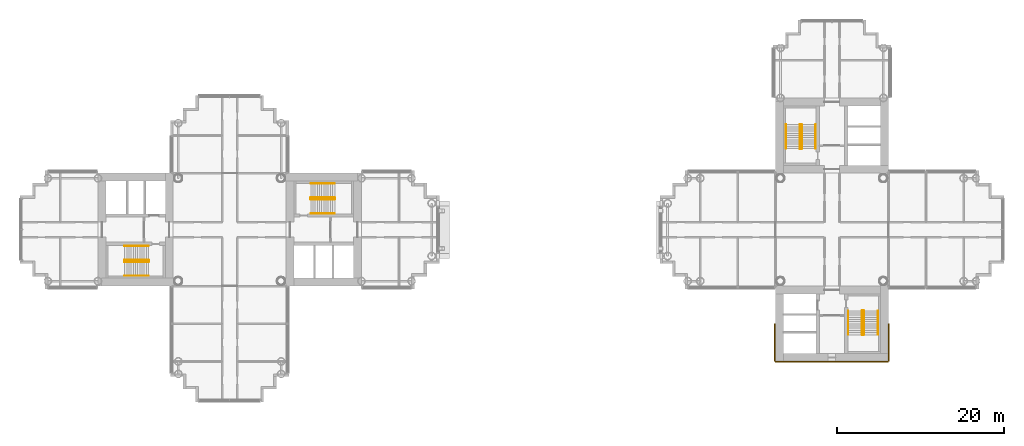
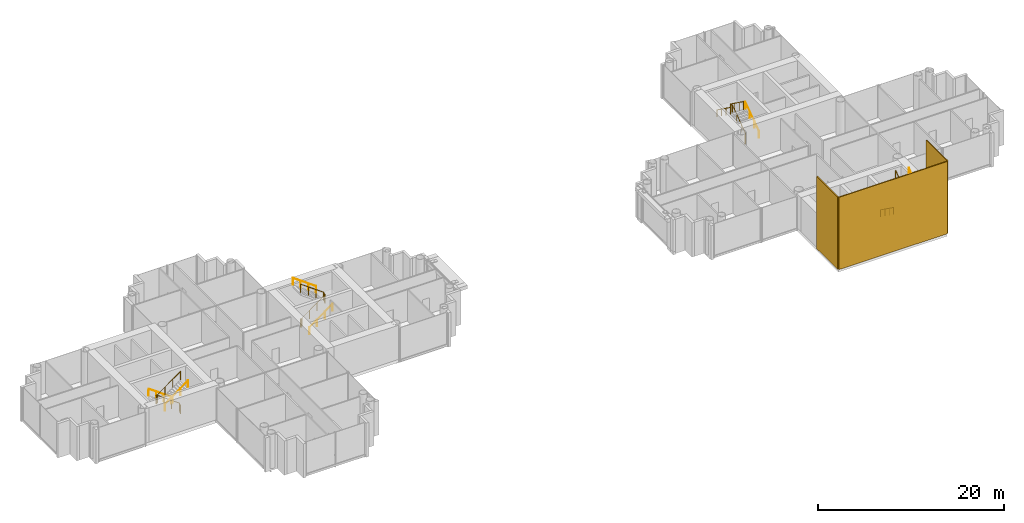
# One storey, part 20 of 20: 12 railings, 3 coverings.
"""IFC4 building model written with IfcOpenShell, lengths in metres."""

from ifc_helpers import new_model, si_unit, direction, frame, origin, origin_2d, place, context, subcontext, project, spatial, rectangle, circle, extrude, material, layer, layer_set, type_object, element, save


model = new_model("IFC4")

# Units and contexts
model_context = context("Model", 3, precision=1e-05, world=origin(), true_north=direction((0.0, 1.0)))
body_context = subcontext(model_context, "Body", "Model", "MODEL_VIEW")
ifc_project = project(units=[si_unit("LENGTHUNIT", "METRE"), si_unit("AREAUNIT", "SQUARE_METRE"), si_unit("VOLUMEUNIT", "CUBIC_METRE"), si_unit("PLANEANGLEUNIT", "RADIAN"), si_unit("MASSUNIT", "GRAM", prefix="KILO")], contexts=[model_context])

# Site, building, storey
site_placement = place(None, origin())
site = spatial("IfcSite", under=ifc_project, at=site_placement, CompositionType="ELEMENT")
building_placement = place(site_placement, origin())
building = spatial("IfcBuilding", under=site, at=building_placement, Name="Ipe Terrace Towers", CompositionType="ELEMENT")
storey_placement = place(building_placement, frame((0.0, 0.0, 124.199951171875)))
storey = spatial("IfcBuildingStorey", under=building, at=storey_placement, Name="L34", CompositionType="ELEMENT", Elevation=124.199951171875)

# Coverings
ifc_material_1 = material(Name="Concrete C50/60 precast, buff finish", Category="concrete")
ifc_layer = layer(ifc_material_1, 0.1201171875)
ifc_layer_set = layer_set([ifc_layer], Name="STONE CORE CLADDING 120")
covering_type = type_object("IfcCoveringType", Name="STONE CORE CLADDING 120", PredefinedType="CLADDING", material=ifc_layer_set)
covering_placement = place(storey_placement, frame((36.0, -15.81005859375, 0.0), z_axis=(0.0, 0.0, 1.0), x_axis=(1.0, 0.0, 0.0)))
element("IfcCovering", 1, at=covering_placement, inside=storey, type_object=covering_type, Name="stone core cladding", PredefinedType="CLADDING", context=body_context, shape_type="SweptSolid", body=[
    extrude(rectangle(XDim=13.5, YDim=0.1201171875, at=origin_2d()), origin(), (0.0, 0.0, 1.0), 9.5),
])
for number, where, z_axis, x_axis, name in (
    (2, (29.18994140625, -13.5, 0.0), (0.0, 0.0, 1.0), (0.0, -1.0, 0.0), "stone core cladding"),
    (3, (42.81005859375, -13.5, 0.0), (0.0, 0.0, 1.0), (0.0, 1.0, 0.0), "stone core cladding"),
):
    element("IfcCovering", number, at=place(storey_placement, frame(where, z_axis=z_axis, x_axis=x_axis)), inside=storey, type_object=covering_type, Name=name, PredefinedType="CLADDING", context=body_context, shape_type="SweptSolid", body=[
        extrude(rectangle(XDim=4.5, YDim=0.1201171875, at=origin_2d()), origin(), (0.0, 0.0, 1.0), 9.5),
    ])

# Railings
ifc_material_2 = material(Name="Steel S355", Category="steel")
railing_type_1 = type_object("IfcRailingType", Name="Stair guard 1100", PredefinedType="GUARDRAIL", material=ifc_material_2)
railing_1_placement = place(storey_placement, frame((-26.35009765625, 3.800048828125, 0.0)))
element("IfcRailing", 4, at=railing_1_placement, inside=storey, type_object=railing_type_1, Name="L34 T1-ST1 stair guard 1", PredefinedType="GUARDRAIL", context=body_context, shape_type="SweptSolid", body=[
    extrude(circle(Radius=0.02392578125, at=origin_2d()), frame((0.0, 0.0, 1.076171875), z_axis=(0.0, -1.0, 0.0), x_axis=(1.0, 0.0, 0.0)), (0.0, 0.0, 1.0), 0.150146484375),
    extrude(circle(Radius=0.02392578125, at=origin_2d()), frame((0.0, -0.150146484375, 1.076171875), z_axis=(0.249802250048, -0.248583702486, 0.935844527007), x_axis=(0.705375805398, 0.708833529934, 0.0)), (0.0, 0.0, 1.0), 0.200439453125),
    extrude(circle(Radius=0.02392578125, at=origin_2d()), frame((0.050048828125, -0.199951171875, 1.263671875), z_axis=(0.811100754333, 0.0, 0.584906459462), x_axis=(0.0, 1.0, 0.0)), (0.0, 0.0, 1.0), 3.526123046875),
    extrude(circle(Radius=0.02392578125, at=origin_2d()), frame((2.91015625, -0.199951171875, 3.326171875), z_axis=(0.708833529934, 0.705375805398, 0.0), x_axis=(-0.705375805398, 0.708833529934, 0.0)), (0.0, 0.0, 1.0), 0.070556640625),
    extrude(circle(Radius=0.02392578125, at=origin_2d()), frame((2.960205078125, -0.150146484375, 3.326171875), z_axis=(0.0, 1.0, 0.0), x_axis=(-1.0, 0.0, 0.0)), (0.0, 0.0, 1.0), 0.150146484375),
    extrude(circle(Radius=0.02392578125, at=origin_2d()), frame((2.960205078125, 0.0, 3.326171875), z_axis=(-0.249726431254, 0.249726431254, 0.935560483917), x_axis=(-0.707106781187, -0.707106781187, 0.0)), (0.0, 0.0, 1.0), 0.200439453125),
    extrude(circle(Radius=0.02392578125, at=origin_2d()), frame((2.91015625, 0.050048828125, 3.513671875), z_axis=(-0.811100754333, 0.0, 0.584906459462), x_axis=(0.0, -1.0, 0.0)), (0.0, 0.0, 1.0), 3.526123046875),
    extrude(circle(Radius=0.02099609375, at=origin_2d()), origin(), (0.0, 0.0, 1.0), 1.052001953125),
    extrude(circle(Radius=0.02099609375, at=origin_2d()), frame((0.0, -0.150146484375, 0.0)), (0.0, 0.0, 1.0), 1.052001953125),
    extrude(circle(Radius=0.02099609375, at=origin_2d()), frame((0.050048828125, -0.199951171875, 0.1875)), (0.0, 0.0, 1.0), 1.052001953125),
    extrude(circle(Radius=0.02099609375, at=origin_2d()), frame((1.00341796875, -0.199951171875, 0.875)), (0.0, 0.0, 1.0), 1.052001953125),
    extrude(circle(Radius=0.02099609375, at=origin_2d()), frame((1.956787109375, -0.199951171875, 1.5625)), (0.0, 0.0, 1.0), 1.052001953125),
    extrude(circle(Radius=0.02099609375, at=origin_2d()), frame((2.91015625, -0.199951171875, 2.25)), (0.0, 0.0, 1.0), 1.052001953125),
    extrude(circle(Radius=0.02099609375, at=origin_2d()), frame((2.960205078125, -0.150146484375, 2.25)), (0.0, 0.0, 1.0), 1.052001953125),
    extrude(circle(Radius=0.02099609375, at=origin_2d()), frame((2.960205078125, 0.0, 2.25)), (0.0, 0.0, 1.0), 1.052001953125),
    extrude(circle(Radius=0.02099609375, at=origin_2d()), frame((2.91015625, 0.050048828125, 2.4375)), (0.0, 0.0, 1.0), 1.052001953125),
    extrude(circle(Radius=0.02099609375, at=origin_2d()), frame((1.956787109375, 0.050048828125, 3.125)), (0.0, 0.0, 1.0), 1.052001953125),
    extrude(circle(Radius=0.02099609375, at=origin_2d()), frame((1.00341796875, 0.050048828125, 3.8125)), (0.0, 0.0, 1.0), 1.052001953125),
    extrude(circle(Radius=0.02099609375, at=origin_2d()), frame((0.050048828125, 0.050048828125, 4.5)), (0.0, 0.0, 1.0), 1.052001953125),
])
railing_2_placement = place(storey_placement, frame((-45.64990234375, -3.800048828125, 0.0)))
element("IfcRailing", 5, at=railing_2_placement, inside=storey, type_object=railing_type_1, Name="L34 T1-ST2 stair guard 1", PredefinedType="GUARDRAIL", context=body_context, shape_type="SweptSolid", body=[
    extrude(circle(Radius=0.02392578125, at=origin_2d()), frame((0.0, 0.0, 1.076171875), z_axis=(0.0, 1.0, 0.0), x_axis=(-1.0, 0.0, 0.0)), (0.0, 0.0, 1.0), 0.150146484375),
    extrude(circle(Radius=0.02392578125, at=origin_2d()), frame((0.0, 0.150146484375, 1.076171875), z_axis=(-0.249802250048, 0.248583702486, 0.935844527007), x_axis=(-0.705375805398, -0.708833529934, 0.0)), (0.0, 0.0, 1.0), 0.200439453125),
    extrude(circle(Radius=0.02392578125, at=origin_2d()), frame((-0.050048828125, 0.199951171875, 1.263671875), z_axis=(-0.811100754333, 0.0, 0.584906459462), x_axis=(0.0, -1.0, 0.0)), (0.0, 0.0, 1.0), 3.526123046875),
    extrude(circle(Radius=0.02392578125, at=origin_2d()), frame((-2.91015625, 0.199951171875, 3.326171875), z_axis=(-0.708833529934, -0.705375805398, 0.0), x_axis=(0.705375805398, -0.708833529934, 0.0)), (0.0, 0.0, 1.0), 0.070556640625),
    extrude(circle(Radius=0.02392578125, at=origin_2d()), frame((-2.960205078125, 0.150146484375, 3.326171875), z_axis=(0.0, -1.0, 0.0), x_axis=(1.0, 0.0, 0.0)), (0.0, 0.0, 1.0), 0.150146484375),
    extrude(circle(Radius=0.02392578125, at=origin_2d()), frame((-2.960205078125, 0.0, 3.326171875), z_axis=(0.249726431254, -0.249726431254, 0.935560483917), x_axis=(0.707106781187, 0.707106781187, 0.0)), (0.0, 0.0, 1.0), 0.200439453125),
    extrude(circle(Radius=0.02392578125, at=origin_2d()), frame((-2.91015625, -0.050048828125, 3.513671875), z_axis=(0.811100754333, 0.0, 0.584906459462), x_axis=(0.0, 1.0, 0.0)), (0.0, 0.0, 1.0), 3.526123046875),
    extrude(circle(Radius=0.02099609375, at=origin_2d()), origin(), (0.0, 0.0, 1.0), 1.052001953125),
    extrude(circle(Radius=0.02099609375, at=origin_2d()), frame((0.0, 0.150146484375, 0.0)), (0.0, 0.0, 1.0), 1.052001953125),
    extrude(circle(Radius=0.02099609375, at=origin_2d()), frame((-0.050048828125, 0.199951171875, 0.1875)), (0.0, 0.0, 1.0), 1.052001953125),
    extrude(circle(Radius=0.02099609375, at=origin_2d()), frame((-1.00341796875, 0.199951171875, 0.875)), (0.0, 0.0, 1.0), 1.052001953125),
    extrude(circle(Radius=0.02099609375, at=origin_2d()), frame((-1.956787109375, 0.199951171875, 1.5625)), (0.0, 0.0, 1.0), 1.052001953125),
    extrude(circle(Radius=0.02099609375, at=origin_2d()), frame((-2.91015625, 0.199951171875, 2.25)), (0.0, 0.0, 1.0), 1.052001953125),
    extrude(circle(Radius=0.02099609375, at=origin_2d()), frame((-2.960205078125, 0.150146484375, 2.25)), (0.0, 0.0, 1.0), 1.052001953125),
    extrude(circle(Radius=0.02099609375, at=origin_2d()), frame((-2.960205078125, 0.0, 2.25)), (0.0, 0.0, 1.0), 1.052001953125),
    extrude(circle(Radius=0.02099609375, at=origin_2d()), frame((-2.91015625, -0.050048828125, 2.4375)), (0.0, 0.0, 1.0), 1.052001953125),
    extrude(circle(Radius=0.02099609375, at=origin_2d()), frame((-1.956787109375, -0.050048828125, 3.125)), (0.0, 0.0, 1.0), 1.052001953125),
    extrude(circle(Radius=0.02099609375, at=origin_2d()), frame((-1.00341796875, -0.050048828125, 3.8125)), (0.0, 0.0, 1.0), 1.052001953125),
    extrude(circle(Radius=0.02099609375, at=origin_2d()), frame((-0.050048828125, -0.050048828125, 4.5)), (0.0, 0.0, 1.0), 1.052001953125),
])
railing_3_placement = place(storey_placement, frame((32.199951171875, 9.64990234375, 0.0)))
element("IfcRailing", 6, at=railing_3_placement, inside=storey, type_object=railing_type_1, Name="L34 T2-ST1 stair guard 1", PredefinedType="GUARDRAIL", context=body_context, shape_type="SweptSolid", body=[
    extrude(circle(Radius=0.02392578125, at=origin_2d()), frame((0.0, 0.0, 1.076171875), z_axis=(1.0, 0.0, 0.0), x_axis=(0.0, 1.0, 0.0)), (0.0, 0.0, 1.0), 0.150146484375),
    extrude(circle(Radius=0.02392578125, at=origin_2d()), frame((0.150146484375, 0.0, 1.076171875), z_axis=(0.248583702486, 0.249802250048, 0.935844527007), x_axis=(-0.708833529934, 0.705375805398, 0.0)), (0.0, 0.0, 1.0), 0.200439453125),
    extrude(circle(Radius=0.02392578125, at=origin_2d()), frame((0.199951171875, 0.050048828125, 1.263671875), z_axis=(0.0, 0.811100754333, 0.584906459462), x_axis=(-1.0, 0.0, 0.0)), (0.0, 0.0, 1.0), 3.526123046875),
    extrude(circle(Radius=0.02392578125, at=origin_2d()), frame((0.199951171875, 2.91015625, 3.326171875), z_axis=(-0.705375805398, 0.708833529934, 0.0), x_axis=(-0.708833529934, -0.705375805398, 0.0)), (0.0, 0.0, 1.0), 0.070556640625),
    extrude(circle(Radius=0.02392578125, at=origin_2d()), frame((0.150146484375, 2.960205078125, 3.326171875), z_axis=(-1.0, 0.0, 0.0), x_axis=(0.0, -1.0, 0.0)), (0.0, 0.0, 1.0), 0.150146484375),
    extrude(circle(Radius=0.02392578125, at=origin_2d()), frame((0.0, 2.960205078125, 3.326171875), z_axis=(-0.249726431254, -0.249726431254, 0.935560483917), x_axis=(0.707106781187, -0.707106781187, 0.0)), (0.0, 0.0, 1.0), 0.200439453125),
    extrude(circle(Radius=0.02392578125, at=origin_2d()), frame((-0.050048828125, 2.91015625, 3.513671875), z_axis=(0.0, -0.811100754333, 0.584906459462), x_axis=(1.0, 0.0, 0.0)), (0.0, 0.0, 1.0), 3.526123046875),
    extrude(circle(Radius=0.02099609375, at=origin_2d()), origin(), (0.0, 0.0, 1.0), 1.052001953125),
    extrude(circle(Radius=0.02099609375, at=origin_2d()), frame((0.150146484375, 0.0, 0.0)), (0.0, 0.0, 1.0), 1.052001953125),
    extrude(circle(Radius=0.02099609375, at=origin_2d()), frame((0.199951171875, 0.050048828125, 0.1875)), (0.0, 0.0, 1.0), 1.052001953125),
    extrude(circle(Radius=0.02099609375, at=origin_2d()), frame((0.199951171875, 1.00341796875, 0.875)), (0.0, 0.0, 1.0), 1.052001953125),
    extrude(circle(Radius=0.02099609375, at=origin_2d()), frame((0.199951171875, 1.956787109375, 1.5625)), (0.0, 0.0, 1.0), 1.052001953125),
    extrude(circle(Radius=0.02099609375, at=origin_2d()), frame((0.199951171875, 2.91015625, 2.25)), (0.0, 0.0, 1.0), 1.052001953125),
    extrude(circle(Radius=0.02099609375, at=origin_2d()), frame((0.150146484375, 2.960205078125, 2.25)), (0.0, 0.0, 1.0), 1.052001953125),
    extrude(circle(Radius=0.02099609375, at=origin_2d()), frame((0.0, 2.960205078125, 2.25)), (0.0, 0.0, 1.0), 1.052001953125),
    extrude(circle(Radius=0.02099609375, at=origin_2d()), frame((-0.050048828125, 2.91015625, 2.4375)), (0.0, 0.0, 1.0), 1.052001953125),
    extrude(circle(Radius=0.02099609375, at=origin_2d()), frame((-0.050048828125, 1.956787109375, 3.125)), (0.0, 0.0, 1.0), 1.052001953125),
    extrude(circle(Radius=0.02099609375, at=origin_2d()), frame((-0.050048828125, 1.00341796875, 3.8125)), (0.0, 0.0, 1.0), 1.052001953125),
    extrude(circle(Radius=0.02099609375, at=origin_2d()), frame((-0.050048828125, 0.050048828125, 4.5)), (0.0, 0.0, 1.0), 1.052001953125),
])
railing_4_placement = place(storey_placement, frame((39.800048828125, -9.64990234375, 0.0)))
element("IfcRailing", 7, at=railing_4_placement, inside=storey, type_object=railing_type_1, Name="L34 T2-ST2 stair guard 1", PredefinedType="GUARDRAIL", context=body_context, shape_type="SweptSolid", body=[
    extrude(circle(Radius=0.02392578125, at=origin_2d()), frame((0.0, 0.0, 1.076171875), z_axis=(-1.0, 0.0, 0.0), x_axis=(0.0, -1.0, 0.0)), (0.0, 0.0, 1.0), 0.150146484375),
    extrude(circle(Radius=0.02392578125, at=origin_2d()), frame((-0.150146484375, 0.0, 1.076171875), z_axis=(-0.248583702486, -0.249802250048, 0.935844527007), x_axis=(0.708833529934, -0.705375805398, 0.0)), (0.0, 0.0, 1.0), 0.200439453125),
    extrude(circle(Radius=0.02392578125, at=origin_2d()), frame((-0.199951171875, -0.050048828125, 1.263671875), z_axis=(0.0, -0.811100754333, 0.584906459462), x_axis=(1.0, 0.0, 0.0)), (0.0, 0.0, 1.0), 3.526123046875),
    extrude(circle(Radius=0.02392578125, at=origin_2d()), frame((-0.199951171875, -2.91015625, 3.326171875), z_axis=(0.705375805398, -0.708833529934, 0.0), x_axis=(0.708833529934, 0.705375805398, 0.0)), (0.0, 0.0, 1.0), 0.070556640625),
    extrude(circle(Radius=0.02392578125, at=origin_2d()), frame((-0.150146484375, -2.960205078125, 3.326171875), z_axis=(1.0, 0.0, 0.0), x_axis=(0.0, 1.0, 0.0)), (0.0, 0.0, 1.0), 0.150146484375),
    extrude(circle(Radius=0.02392578125, at=origin_2d()), frame((0.0, -2.960205078125, 3.326171875), z_axis=(0.249726431254, 0.249726431254, 0.935560483917), x_axis=(-0.707106781187, 0.707106781187, 0.0)), (0.0, 0.0, 1.0), 0.200439453125),
    extrude(circle(Radius=0.02392578125, at=origin_2d()), frame((0.050048828125, -2.91015625, 3.513671875), z_axis=(0.0, 0.811100754333, 0.584906459462), x_axis=(-1.0, 0.0, 0.0)), (0.0, 0.0, 1.0), 3.526123046875),
    extrude(circle(Radius=0.02099609375, at=origin_2d()), origin(), (0.0, 0.0, 1.0), 1.052001953125),
    extrude(circle(Radius=0.02099609375, at=origin_2d()), frame((-0.150146484375, 0.0, 0.0)), (0.0, 0.0, 1.0), 1.052001953125),
    extrude(circle(Radius=0.02099609375, at=origin_2d()), frame((-0.199951171875, -0.050048828125, 0.1875)), (0.0, 0.0, 1.0), 1.052001953125),
    extrude(circle(Radius=0.02099609375, at=origin_2d()), frame((-0.199951171875, -1.00341796875, 0.875)), (0.0, 0.0, 1.0), 1.052001953125),
    extrude(circle(Radius=0.02099609375, at=origin_2d()), frame((-0.199951171875, -1.956787109375, 1.5625)), (0.0, 0.0, 1.0), 1.052001953125),
    extrude(circle(Radius=0.02099609375, at=origin_2d()), frame((-0.199951171875, -2.91015625, 2.25)), (0.0, 0.0, 1.0), 1.052001953125),
    extrude(circle(Radius=0.02099609375, at=origin_2d()), frame((-0.150146484375, -2.960205078125, 2.25)), (0.0, 0.0, 1.0), 1.052001953125),
    extrude(circle(Radius=0.02099609375, at=origin_2d()), frame((0.0, -2.960205078125, 2.25)), (0.0, 0.0, 1.0), 1.052001953125),
    extrude(circle(Radius=0.02099609375, at=origin_2d()), frame((0.050048828125, -2.91015625, 2.4375)), (0.0, 0.0, 1.0), 1.052001953125),
    extrude(circle(Radius=0.02099609375, at=origin_2d()), frame((0.050048828125, -1.956787109375, 3.125)), (0.0, 0.0, 1.0), 1.052001953125),
    extrude(circle(Radius=0.02099609375, at=origin_2d()), frame((0.050048828125, -1.00341796875, 3.8125)), (0.0, 0.0, 1.0), 1.052001953125),
    extrude(circle(Radius=0.02099609375, at=origin_2d()), frame((0.050048828125, -0.050048828125, 4.5)), (0.0, 0.0, 1.0), 1.052001953125),
])
ifc_material_3 = material(Name="Stainless steel grade 304", Category="steel")
railing_type_2 = type_object("IfcRailingType", Name="Stair handrail 900", PredefinedType="HANDRAIL", material=ifc_material_3)
railing_5_placement = place(storey_placement, frame((-26.300048828125, 1.949951171875, 0.1875)))
element("IfcRailing", 8, at=railing_5_placement, inside=storey, type_object=railing_type_2, Name="L34 T1-ST1 stair handrail 1", PredefinedType="HANDRAIL", context=body_context, shape_type="SweptSolid", body=[
    extrude(circle(Radius=0.02392578125, at=origin_2d()), frame((0.0, 0.0, 0.8759765625), z_axis=(0.811100754333, 0.0, 0.584906459462), x_axis=(0.0, 1.0, 0.0)), (0.0, 0.0, 1.0), 3.526123046875),
    extrude(circle(Radius=0.02099609375, at=origin_2d()), origin(), (0.0, 0.0, 1.0), 0.851806640625),
    extrude(circle(Radius=0.02099609375, at=origin_2d()), frame((0.953369140625, 0.0, 0.6875)), (0.0, 0.0, 1.0), 0.851806640625),
    extrude(circle(Radius=0.02099609375, at=origin_2d()), frame((1.90673828125, 0.0, 1.375)), (0.0, 0.0, 1.0), 0.851806640625),
    extrude(circle(Radius=0.02099609375, at=origin_2d()), frame((2.860107421875, 0.0, 2.0625)), (0.0, 0.0, 1.0), 0.851806640625),
])
for number, where, name in (
    (9, (-23.43994140625, 5.5, 2.4375), "L34 T1-ST1 stair handrail 2"),
    (10, (-45.699951171875, -1.949951171875, 0.1875), "L34 T1-ST2 stair handrail 1"),
):
    element("IfcRailing", number, at=place(storey_placement, frame(where)), inside=storey, type_object=railing_type_2, Name=name, PredefinedType="HANDRAIL", context=body_context, shape_type="SweptSolid", body=[
        extrude(circle(Radius=0.02392578125, at=origin_2d()), frame((0.0, 0.0, 0.8759765625), z_axis=(-0.811100754333, 0.0, 0.584906459462), x_axis=(0.0, -1.0, 0.0)), (0.0, 0.0, 1.0), 3.526123046875),
        extrude(circle(Radius=0.02099609375, at=origin_2d()), origin(), (0.0, 0.0, 1.0), 0.851806640625),
        extrude(circle(Radius=0.02099609375, at=origin_2d()), frame((-0.953369140625, 0.0, 0.6875)), (0.0, 0.0, 1.0), 0.851806640625),
        extrude(circle(Radius=0.02099609375, at=origin_2d()), frame((-1.90673828125, 0.0, 1.375)), (0.0, 0.0, 1.0), 0.851806640625),
        extrude(circle(Radius=0.02099609375, at=origin_2d()), frame((-2.860107421875, 0.0, 2.0625)), (0.0, 0.0, 1.0), 0.851806640625),
    ])
railing_6_placement = place(storey_placement, frame((-48.56005859375, -5.5, 2.4375)))
element("IfcRailing", 11, at=railing_6_placement, inside=storey, type_object=railing_type_2, Name="L34 T1-ST2 stair handrail 2", PredefinedType="HANDRAIL", context=body_context, shape_type="SweptSolid", body=[
    extrude(circle(Radius=0.02392578125, at=origin_2d()), frame((0.0, 0.0, 0.8759765625), z_axis=(0.811100754333, 0.0, 0.584906459462), x_axis=(0.0, 1.0, 0.0)), (0.0, 0.0, 1.0), 3.526123046875),
    extrude(circle(Radius=0.02099609375, at=origin_2d()), origin(), (0.0, 0.0, 1.0), 0.851806640625),
    extrude(circle(Radius=0.02099609375, at=origin_2d()), frame((0.953369140625, 0.0, 0.6875)), (0.0, 0.0, 1.0), 0.851806640625),
    extrude(circle(Radius=0.02099609375, at=origin_2d()), frame((1.90673828125, 0.0, 1.375)), (0.0, 0.0, 1.0), 0.851806640625),
    extrude(circle(Radius=0.02099609375, at=origin_2d()), frame((2.860107421875, 0.0, 2.0625)), (0.0, 0.0, 1.0), 0.851806640625),
])
railing_7_placement = place(storey_placement, frame((34.050048828125, 9.699951171875, 0.1875)))
element("IfcRailing", 12, at=railing_7_placement, inside=storey, type_object=railing_type_2, Name="L34 T2-ST1 stair handrail 1", PredefinedType="HANDRAIL", context=body_context, shape_type="SweptSolid", body=[
    extrude(circle(Radius=0.02392578125, at=origin_2d()), frame((0.0, 0.0, 0.8759765625), z_axis=(0.0, 0.811100754333, 0.584906459462), x_axis=(-1.0, 0.0, 0.0)), (0.0, 0.0, 1.0), 3.526123046875),
    extrude(circle(Radius=0.02099609375, at=origin_2d()), origin(), (0.0, 0.0, 1.0), 0.851806640625),
    extrude(circle(Radius=0.02099609375, at=origin_2d()), frame((0.0, 0.953369140625, 0.6875)), (0.0, 0.0, 1.0), 0.851806640625),
    extrude(circle(Radius=0.02099609375, at=origin_2d()), frame((0.0, 1.90673828125, 1.375)), (0.0, 0.0, 1.0), 0.851806640625),
    extrude(circle(Radius=0.02099609375, at=origin_2d()), frame((0.0, 2.860107421875, 2.0625)), (0.0, 0.0, 1.0), 0.851806640625),
])
for number, where, name in (
    (13, (30.5, 12.56005859375, 2.4375), "L34 T2-ST1 stair handrail 2"),
    (14, (37.949951171875, -9.699951171875, 0.1875), "L34 T2-ST2 stair handrail 1"),
):
    element("IfcRailing", number, at=place(storey_placement, frame(where)), inside=storey, type_object=railing_type_2, Name=name, PredefinedType="HANDRAIL", context=body_context, shape_type="SweptSolid", body=[
        extrude(circle(Radius=0.02392578125, at=origin_2d()), frame((0.0, 0.0, 0.8759765625), z_axis=(0.0, -0.811100754333, 0.584906459462), x_axis=(1.0, 0.0, 0.0)), (0.0, 0.0, 1.0), 3.526123046875),
        extrude(circle(Radius=0.02099609375, at=origin_2d()), origin(), (0.0, 0.0, 1.0), 0.851806640625),
        extrude(circle(Radius=0.02099609375, at=origin_2d()), frame((0.0, -0.953369140625, 0.6875)), (0.0, 0.0, 1.0), 0.851806640625),
        extrude(circle(Radius=0.02099609375, at=origin_2d()), frame((0.0, -1.90673828125, 1.375)), (0.0, 0.0, 1.0), 0.851806640625),
        extrude(circle(Radius=0.02099609375, at=origin_2d()), frame((0.0, -2.860107421875, 2.0625)), (0.0, 0.0, 1.0), 0.851806640625),
    ])
railing_8_placement = place(storey_placement, frame((41.5, -12.56005859375, 2.4375)))
element("IfcRailing", 15, at=railing_8_placement, inside=storey, type_object=railing_type_2, Name="L34 T2-ST2 stair handrail 2", PredefinedType="HANDRAIL", context=body_context, shape_type="SweptSolid", body=[
    extrude(circle(Radius=0.02392578125, at=origin_2d()), frame((0.0, 0.0, 0.8759765625), z_axis=(0.0, 0.811100754333, 0.584906459462), x_axis=(-1.0, 0.0, 0.0)), (0.0, 0.0, 1.0), 3.526123046875),
    extrude(circle(Radius=0.02099609375, at=origin_2d()), origin(), (0.0, 0.0, 1.0), 0.851806640625),
    extrude(circle(Radius=0.02099609375, at=origin_2d()), frame((0.0, 0.953369140625, 0.6875)), (0.0, 0.0, 1.0), 0.851806640625),
    extrude(circle(Radius=0.02099609375, at=origin_2d()), frame((0.0, 1.90673828125, 1.375)), (0.0, 0.0, 1.0), 0.851806640625),
    extrude(circle(Radius=0.02099609375, at=origin_2d()), frame((0.0, 2.860107421875, 2.0625)), (0.0, 0.0, 1.0), 0.851806640625),
])

save(model, "model.ifc")
